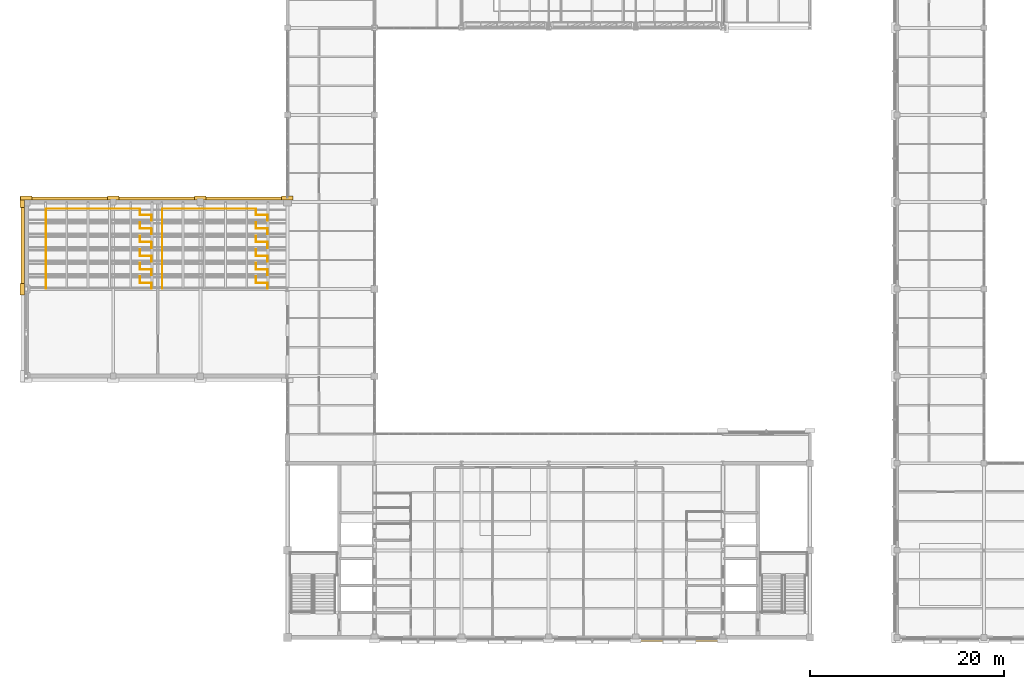
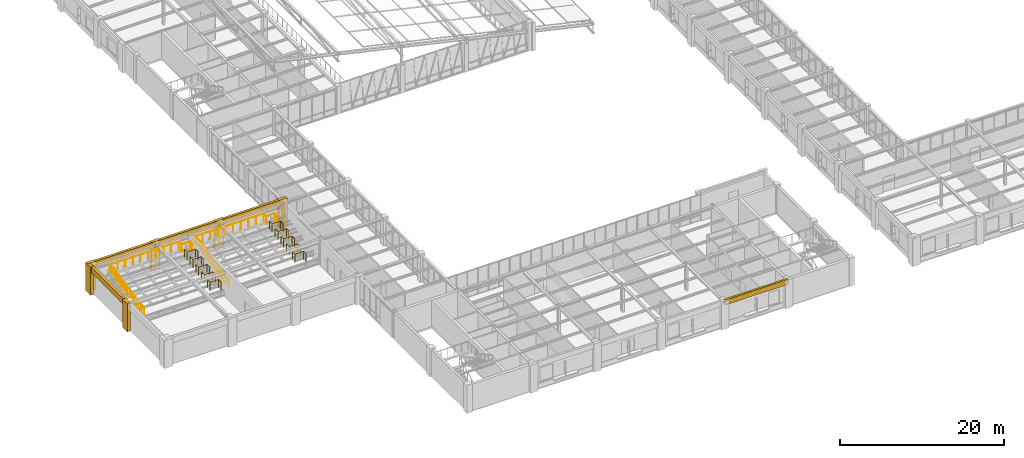
# One storey, part 124 of 130: 22 railings, 11 coverings.
"""IFC4 building model written with IfcOpenShell, lengths in metres."""

from ifc_helpers import new_model, si_unit, direction, frame, origin, origin_2d, place, context, subcontext, project, spatial, rectangle, circle, extrude, material, layer, layer_set, type_object, element, save


model = new_model("IFC4")

# Units and contexts
model_context = context("Model", 3, precision=1e-05, world=origin(), true_north=direction((0.0, 1.0)))
body_context = subcontext(model_context, "Body", "Model", "MODEL_VIEW")
ifc_project = project(units=[si_unit("LENGTHUNIT", "METRE"), si_unit("AREAUNIT", "SQUARE_METRE"), si_unit("VOLUMEUNIT", "CUBIC_METRE"), si_unit("PLANEANGLEUNIT", "RADIAN"), si_unit("MASSUNIT", "GRAM", prefix="KILO")], contexts=[model_context])

# Site, building, storey
site_placement = place(None, origin())
site = spatial("IfcSite", under=ifc_project, at=site_placement, CompositionType="ELEMENT")
building_placement = place(site_placement, origin())
building = spatial("IfcBuilding", under=site, at=building_placement, Name="Lykobir Media Centre", CompositionType="ELEMENT")
storey_placement = place(building_placement, frame((0.0, 0.0, 19.199951171875)))
storey = spatial("IfcBuildingStorey", under=building, at=storey_placement, Name="L04", CompositionType="ELEMENT", Elevation=19.199951171875)

# Coverings
ifc_material_1 = material(Name="Honed Travertine Stone", Category="masonry")
ifc_layer = layer(ifc_material_1, 0.050048828125, Name="Honed Travertine Stone")
ifc_layer_set = layer_set([ifc_layer], Name="Honed Travertine Stone")
covering_type = type_object("IfcCoveringType", Name="CLD-TRAV", PredefinedType="CLADDING", material=ifc_layer_set)
covering_1_placement = place(storey_placement, frame((67.5, -0.300048828125, 3.43994140625), z_axis=(0.0, 0.0, 1.0), x_axis=(1.0, 0.0, 0.0)))
element("IfcCovering", 1, at=covering_1_placement, inside=storey, type_object=covering_type, Name="Travertine spandrel stringcourse 617", PredefinedType="CLADDING", context=body_context, shape_type="SweptSolid", body=[
    extrude(rectangle(XDim=9.0, YDim=0.280029296875, at=origin_2d()), origin(), (0.0, 0.0, 1.0), 0.760009765625),
])
covering_2_placement = place(storey_placement, frame((4.5, 45.360107421875, 3.35986328125), z_axis=(0.0, 0.0, 1.0), x_axis=(-1.0, 0.0, 0.0)))
element("IfcCovering", 2, at=covering_2_placement, inside=storey, type_object=covering_type, Name="Acoustic hall cornice band 656", PredefinedType="CLADDING", context=body_context, shape_type="SweptSolid", body=[
    extrude(rectangle(XDim=9.0, YDim=0.340087890625, at=origin_2d()), origin(), (0.0, 0.0, 1.0), 0.840087890625),
])
for number, where, z_axis, x_axis, name in (
    (3, (9.0, 45.419921875, 0.0), (0.0, 0.0, 1.0), (-1.0, 0.0, 0.0), "Stone pilaster 657"),
    (4, (0.0, 45.419921875, 0.0), (0.0, 0.0, 1.0), (-1.0, 0.0, 0.0), "Stone pilaster 658"),
):
    element("IfcCovering", number, at=place(storey_placement, frame(where, z_axis=z_axis, x_axis=x_axis)), inside=storey, type_object=covering_type, Name=name, PredefinedType="CLADDING", context=body_context, shape_type="SweptSolid", body=[
        extrude(rectangle(XDim=1.179931640625, YDim=0.43994140625, at=origin_2d()), origin(), (0.0, 0.0, 1.0), 4.199951171875),
    ])
covering_3_placement = place(storey_placement, frame((13.5, 45.360107421875, 3.35986328125), z_axis=(0.0, 0.0, 1.0), x_axis=(-1.0, 0.0, 0.0)))
element("IfcCovering", 5, at=covering_3_placement, inside=storey, type_object=covering_type, Name="Acoustic hall cornice band 659", PredefinedType="CLADDING", context=body_context, shape_type="SweptSolid", body=[
    extrude(rectangle(XDim=9.0, YDim=0.340087890625, at=origin_2d()), origin(), (0.0, 0.0, 1.0), 0.840087890625),
])
covering_4_placement = place(storey_placement, frame((18.0, 45.419921875, 0.0), z_axis=(0.0, 0.0, 1.0), x_axis=(-1.0, 0.0, 0.0)))
element("IfcCovering", 6, at=covering_4_placement, inside=storey, type_object=covering_type, Name="Stone pilaster 660", PredefinedType="CLADDING", context=body_context, shape_type="SweptSolid", body=[
    extrude(rectangle(XDim=1.179931640625, YDim=0.43994140625, at=origin_2d()), origin(), (0.0, 0.0, 1.0), 4.199951171875),
])
covering_5_placement = place(storey_placement, frame((22.5, 45.360107421875, 3.35986328125), z_axis=(0.0, 0.0, 1.0), x_axis=(-1.0, 0.0, 0.0)))
element("IfcCovering", 7, at=covering_5_placement, inside=storey, type_object=covering_type, Name="Acoustic hall cornice band 661", PredefinedType="CLADDING", context=body_context, shape_type="SweptSolid", body=[
    extrude(rectangle(XDim=9.0, YDim=0.340087890625, at=origin_2d()), origin(), (0.0, 0.0, 1.0), 0.840087890625),
])
for number, where, z_axis, x_axis, name in (
    (8, (27.0, 45.419921875, 0.0), (0.0, 0.0, 1.0), (-1.0, 0.0, 0.0), "Stone pilaster 662"),
    (9, (-0.419921875, 36.0, 0.0), (0.0, 0.0, 1.0), (0.0, -1.0, 0.0), "Stone pilaster 664"),
):
    element("IfcCovering", number, at=place(storey_placement, frame(where, z_axis=z_axis, x_axis=x_axis)), inside=storey, type_object=covering_type, Name=name, PredefinedType="CLADDING", context=body_context, shape_type="SweptSolid", body=[
        extrude(rectangle(XDim=1.179931640625, YDim=0.43994140625, at=origin_2d()), origin(), (0.0, 0.0, 1.0), 4.199951171875),
    ])
covering_6_placement = place(storey_placement, frame((-0.360107421875, 40.5, 3.35986328125), z_axis=(0.0, 0.0, 1.0), x_axis=(0.0, -1.0, 0.0)))
element("IfcCovering", 10, at=covering_6_placement, inside=storey, type_object=covering_type, Name="Acoustic hall cornice band 666", PredefinedType="CLADDING", context=body_context, shape_type="SweptSolid", body=[
    extrude(rectangle(XDim=9.0, YDim=0.340087890625, at=origin_2d()), origin(), (0.0, 0.0, 1.0), 0.840087890625),
])
covering_7_placement = place(storey_placement, frame((-0.419921875, 45.0, 0.0), z_axis=(0.0, 0.0, 1.0), x_axis=(0.0, -1.0, 0.0)))
element("IfcCovering", 11, at=covering_7_placement, inside=storey, type_object=covering_type, Name="Stone pilaster 667", PredefinedType="CLADDING", context=body_context, shape_type="SweptSolid", body=[
    extrude(rectangle(XDim=1.179931640625, YDim=0.43994140625, at=origin_2d()), origin(), (0.0, 0.0, 1.0), 4.199951171875),
])

# Railings
ifc_material_2 = material(Name="Steel S355", Category="steel")
railing_type = type_object("IfcRailingType", Name="GR-1200", PredefinedType="BALUSTRADE", material=ifc_material_2)
railing_1_placement = place(storey_placement, frame((2.06005859375, 36.06005859375, 1.16015625)))
element("IfcRailing", 12, at=railing_1_placement, inside=storey, type_object=railing_type, Name="SCR6 west tier 1 balustrade", PredefinedType="BALUSTRADE", context=body_context, shape_type="SweptSolid", body=[
    extrude(circle(Radius=0.02392578125, at=origin_2d()), frame((0.0, 0.0, 1.17578125), z_axis=(0.0, 1.0, 0.0), x_axis=(-1.0, 0.0, 0.0)), (0.0, 0.0, 1.0), 1.239990234375),
    extrude(circle(Radius=0.02099609375, at=origin_2d()), origin(), (0.0, 0.0, 1.0), 1.15185546875),
    extrude(circle(Radius=0.02099609375, at=origin_2d()), frame((0.0, 0.6201171875, 0.0)), (0.0, 0.0, 1.0), 1.15185546875),
    extrude(circle(Radius=0.02099609375, at=origin_2d()), frame((0.0, 1.239990234375, 0.0)), (0.0, 0.0, 1.0), 1.15185546875),
])
railing_2_placement = place(storey_placement, frame((12.93994140625, 36.06005859375, 1.16015625)))
element("IfcRailing", 13, at=railing_2_placement, inside=storey, type_object=railing_type, Name="SCR6 east tier 1 balustrade", PredefinedType="BALUSTRADE", context=body_context, shape_type="SweptSolid", body=[
    extrude(circle(Radius=0.02392578125, at=origin_2d()), frame((0.0, 0.0, 1.17578125), z_axis=(0.0, 1.0, 0.0), x_axis=(-1.0, 0.0, 0.0)), (0.0, 0.0, 1.0), 0.579833984375),
    extrude(circle(Radius=0.02392578125, at=origin_2d()), frame((0.0, 0.579833984375, 1.17578125), z_axis=(-1.0, 0.0, 0.0), x_axis=(0.0, -1.0, 0.0)), (0.0, 0.0, 1.0), 1.199951171875),
    extrude(circle(Radius=0.02392578125, at=origin_2d()), frame((-1.199951171875, 0.579833984375, 1.17578125), z_axis=(0.0, 1.0, 0.0), x_axis=(-1.0, 0.0, 0.0)), (0.0, 0.0, 1.0), 0.66015625),
    extrude(circle(Radius=0.02099609375, at=origin_2d()), origin(), (0.0, 0.0, 1.0), 1.15185546875),
    extrude(circle(Radius=0.02099609375, at=origin_2d()), frame((0.0, 0.579833984375, 0.0)), (0.0, 0.0, 1.0), 1.15185546875),
    extrude(circle(Radius=0.02099609375, at=origin_2d()), frame((-1.199951171875, 0.579833984375, 0.0)), (0.0, 0.0, 1.0), 1.15185546875),
    extrude(circle(Radius=0.02099609375, at=origin_2d()), frame((-1.199951171875, 1.239990234375, 0.0)), (0.0, 0.0, 1.0), 1.15185546875),
])
railing_3_placement = place(storey_placement, frame((2.06005859375, 37.4599609375, 1.43994140625)))
element("IfcRailing", 14, at=railing_3_placement, inside=storey, type_object=railing_type, Name="SCR6 west tier 2 balustrade", PredefinedType="BALUSTRADE", context=body_context, shape_type="SweptSolid", body=[
    extrude(circle(Radius=0.02392578125, at=origin_2d()), frame((0.0, 0.0, 1.17578125), z_axis=(0.0, 1.0, 0.0), x_axis=(-1.0, 0.0, 0.0)), (0.0, 0.0, 1.0), 1.239990234375),
    extrude(circle(Radius=0.02099609375, at=origin_2d()), origin(), (0.0, 0.0, 1.0), 1.15185546875),
    extrude(circle(Radius=0.02099609375, at=origin_2d()), frame((0.0, 0.6201171875, 0.0)), (0.0, 0.0, 1.0), 1.15185546875),
    extrude(circle(Radius=0.02099609375, at=origin_2d()), frame((0.0, 1.239990234375, 0.0)), (0.0, 0.0, 1.0), 1.15185546875),
])
railing_4_placement = place(storey_placement, frame((12.93994140625, 37.4599609375, 1.43994140625)))
element("IfcRailing", 15, at=railing_4_placement, inside=storey, type_object=railing_type, Name="SCR6 east tier 2 balustrade", PredefinedType="BALUSTRADE", context=body_context, shape_type="SweptSolid", body=[
    extrude(circle(Radius=0.02392578125, at=origin_2d()), frame((0.0, 0.0, 1.17578125), z_axis=(0.0, 1.0, 0.0), x_axis=(-1.0, 0.0, 0.0)), (0.0, 0.0, 1.0), 0.580078125),
    extrude(circle(Radius=0.02392578125, at=origin_2d()), frame((0.0, 0.580078125, 1.17578125), z_axis=(-1.0, 0.0, 0.0), x_axis=(0.0, -1.0, 0.0)), (0.0, 0.0, 1.0), 1.199951171875),
    extrude(circle(Radius=0.02392578125, at=origin_2d()), frame((-1.199951171875, 0.580078125, 1.17578125), z_axis=(0.0, 1.0, 0.0), x_axis=(-1.0, 0.0, 0.0)), (0.0, 0.0, 1.0), 0.659912109375),
    extrude(circle(Radius=0.02099609375, at=origin_2d()), origin(), (0.0, 0.0, 1.0), 1.15185546875),
    extrude(circle(Radius=0.02099609375, at=origin_2d()), frame((0.0, 0.580078125, 0.0)), (0.0, 0.0, 1.0), 1.15185546875),
    extrude(circle(Radius=0.02099609375, at=origin_2d()), frame((-1.199951171875, 0.580078125, 0.0)), (0.0, 0.0, 1.0), 1.15185546875),
    extrude(circle(Radius=0.02099609375, at=origin_2d()), frame((-1.199951171875, 1.239990234375, 0.0)), (0.0, 0.0, 1.0), 1.15185546875),
])
railing_5_placement = place(storey_placement, frame((2.06005859375, 38.860107421875, 1.719970703125)))
element("IfcRailing", 16, at=railing_5_placement, inside=storey, type_object=railing_type, Name="SCR6 west tier 3 balustrade", PredefinedType="BALUSTRADE", context=body_context, shape_type="SweptSolid", body=[
    extrude(circle(Radius=0.02392578125, at=origin_2d()), frame((0.0, 0.0, 1.17578125), z_axis=(0.0, 1.0, 0.0), x_axis=(-1.0, 0.0, 0.0)), (0.0, 0.0, 1.0), 1.239990234375),
    extrude(circle(Radius=0.02099609375, at=origin_2d()), origin(), (0.0, 0.0, 1.0), 1.15185546875),
    extrude(circle(Radius=0.02099609375, at=origin_2d()), frame((0.0, 0.6201171875, 0.0)), (0.0, 0.0, 1.0), 1.15185546875),
    extrude(circle(Radius=0.02099609375, at=origin_2d()), frame((0.0, 1.239990234375, 0.0)), (0.0, 0.0, 1.0), 1.15185546875),
])
railing_6_placement = place(storey_placement, frame((12.93994140625, 38.860107421875, 1.719970703125)))
element("IfcRailing", 17, at=railing_6_placement, inside=storey, type_object=railing_type, Name="SCR6 east tier 3 balustrade", PredefinedType="BALUSTRADE", context=body_context, shape_type="SweptSolid", body=[
    extrude(circle(Radius=0.02392578125, at=origin_2d()), frame((0.0, 0.0, 1.17578125), z_axis=(0.0, 1.0, 0.0), x_axis=(-1.0, 0.0, 0.0)), (0.0, 0.0, 1.0), 0.579833984375),
    extrude(circle(Radius=0.02392578125, at=origin_2d()), frame((0.0, 0.579833984375, 1.17578125), z_axis=(-1.0, 0.0, 0.0), x_axis=(0.0, -1.0, 0.0)), (0.0, 0.0, 1.0), 1.199951171875),
    extrude(circle(Radius=0.02392578125, at=origin_2d()), frame((-1.199951171875, 0.579833984375, 1.17578125), z_axis=(0.0, 1.0, 0.0), x_axis=(-1.0, 0.0, 0.0)), (0.0, 0.0, 1.0), 0.66015625),
    extrude(circle(Radius=0.02099609375, at=origin_2d()), origin(), (0.0, 0.0, 1.0), 1.15185546875),
    extrude(circle(Radius=0.02099609375, at=origin_2d()), frame((0.0, 0.579833984375, 0.0)), (0.0, 0.0, 1.0), 1.15185546875),
    extrude(circle(Radius=0.02099609375, at=origin_2d()), frame((-1.199951171875, 0.579833984375, 0.0)), (0.0, 0.0, 1.0), 1.15185546875),
    extrude(circle(Radius=0.02099609375, at=origin_2d()), frame((-1.199951171875, 1.239990234375, 0.0)), (0.0, 0.0, 1.0), 1.15185546875),
])
railing_7_placement = place(storey_placement, frame((2.06005859375, 40.260009765625, 2.0)))
element("IfcRailing", 18, at=railing_7_placement, inside=storey, type_object=railing_type, Name="SCR6 west tier 4 balustrade", PredefinedType="BALUSTRADE", context=body_context, shape_type="SweptSolid", body=[
    extrude(circle(Radius=0.02392578125, at=origin_2d()), frame((0.0, 0.0, 1.17578125), z_axis=(0.0, 1.0, 0.0), x_axis=(-1.0, 0.0, 0.0)), (0.0, 0.0, 1.0), 1.239990234375),
    extrude(circle(Radius=0.02099609375, at=origin_2d()), origin(), (0.0, 0.0, 1.0), 1.15185546875),
    extrude(circle(Radius=0.02099609375, at=origin_2d()), frame((0.0, 0.6201171875, 0.0)), (0.0, 0.0, 1.0), 1.15185546875),
    extrude(circle(Radius=0.02099609375, at=origin_2d()), frame((0.0, 1.239990234375, 0.0)), (0.0, 0.0, 1.0), 1.15185546875),
])
railing_8_placement = place(storey_placement, frame((12.93994140625, 40.260009765625, 2.0)))
element("IfcRailing", 19, at=railing_8_placement, inside=storey, type_object=railing_type, Name="SCR6 east tier 4 balustrade", PredefinedType="BALUSTRADE", context=body_context, shape_type="SweptSolid", body=[
    extrude(circle(Radius=0.02392578125, at=origin_2d()), frame((0.0, 0.0, 1.17578125), z_axis=(0.0, 1.0, 0.0), x_axis=(-1.0, 0.0, 0.0)), (0.0, 0.0, 1.0), 0.580078125),
    extrude(circle(Radius=0.02392578125, at=origin_2d()), frame((0.0, 0.580078125, 1.17578125), z_axis=(-1.0, 0.0, 0.0), x_axis=(0.0, -1.0, 0.0)), (0.0, 0.0, 1.0), 1.199951171875),
    extrude(circle(Radius=0.02392578125, at=origin_2d()), frame((-1.199951171875, 0.580078125, 1.17578125), z_axis=(0.0, 1.0, 0.0), x_axis=(-1.0, 0.0, 0.0)), (0.0, 0.0, 1.0), 0.659912109375),
    extrude(circle(Radius=0.02099609375, at=origin_2d()), origin(), (0.0, 0.0, 1.0), 1.15185546875),
    extrude(circle(Radius=0.02099609375, at=origin_2d()), frame((0.0, 0.580078125, 0.0)), (0.0, 0.0, 1.0), 1.15185546875),
    extrude(circle(Radius=0.02099609375, at=origin_2d()), frame((-1.199951171875, 0.580078125, 0.0)), (0.0, 0.0, 1.0), 1.15185546875),
    extrude(circle(Radius=0.02099609375, at=origin_2d()), frame((-1.199951171875, 1.239990234375, 0.0)), (0.0, 0.0, 1.0), 1.15185546875),
])
railing_9_placement = place(storey_placement, frame((2.06005859375, 41.659912109375, 2.280029296875)))
element("IfcRailing", 20, at=railing_9_placement, inside=storey, type_object=railing_type, Name="SCR6 west tier 5 balustrade", PredefinedType="BALUSTRADE", context=body_context, shape_type="SweptSolid", body=[
    extrude(circle(Radius=0.02392578125, at=origin_2d()), frame((0.0, 0.0, 1.17578125), z_axis=(0.0, 1.0, 0.0), x_axis=(-1.0, 0.0, 0.0)), (0.0, 0.0, 1.0), 1.239990234375),
    extrude(circle(Radius=0.02099609375, at=origin_2d()), origin(), (0.0, 0.0, 1.0), 1.15185546875),
    extrude(circle(Radius=0.02099609375, at=origin_2d()), frame((0.0, 0.6201171875, 0.0)), (0.0, 0.0, 1.0), 1.15185546875),
    extrude(circle(Radius=0.02099609375, at=origin_2d()), frame((0.0, 1.239990234375, 0.0)), (0.0, 0.0, 1.0), 1.15185546875),
])
railing_10_placement = place(storey_placement, frame((12.93994140625, 41.659912109375, 2.280029296875)))
element("IfcRailing", 21, at=railing_10_placement, inside=storey, type_object=railing_type, Name="SCR6 east tier 5 balustrade", PredefinedType="BALUSTRADE", context=body_context, shape_type="SweptSolid", body=[
    extrude(circle(Radius=0.02392578125, at=origin_2d()), frame((0.0, 0.0, 1.17578125), z_axis=(0.0, 1.0, 0.0), x_axis=(-1.0, 0.0, 0.0)), (0.0, 0.0, 1.0), 0.580078125),
    extrude(circle(Radius=0.02392578125, at=origin_2d()), frame((0.0, 0.580078125, 1.17578125), z_axis=(-1.0, 0.0, 0.0), x_axis=(0.0, -1.0, 0.0)), (0.0, 0.0, 1.0), 1.199951171875),
    extrude(circle(Radius=0.02392578125, at=origin_2d()), frame((-1.199951171875, 0.580078125, 1.17578125), z_axis=(0.0, 1.0, 0.0), x_axis=(-1.0, 0.0, 0.0)), (0.0, 0.0, 1.0), 0.659912109375),
    extrude(circle(Radius=0.02099609375, at=origin_2d()), origin(), (0.0, 0.0, 1.0), 1.15185546875),
    extrude(circle(Radius=0.02099609375, at=origin_2d()), frame((0.0, 0.580078125, 0.0)), (0.0, 0.0, 1.0), 1.15185546875),
    extrude(circle(Radius=0.02099609375, at=origin_2d()), frame((-1.199951171875, 0.580078125, 0.0)), (0.0, 0.0, 1.0), 1.15185546875),
    extrude(circle(Radius=0.02099609375, at=origin_2d()), frame((-1.199951171875, 1.239990234375, 0.0)), (0.0, 0.0, 1.0), 1.15185546875),
])
railing_11_placement = place(storey_placement, frame((2.06005859375, 43.06005859375, 2.56005859375)))
element("IfcRailing", 22, at=railing_11_placement, inside=storey, type_object=railing_type, Name="SCR6 rear tier 6 balustrade", PredefinedType="BALUSTRADE", context=body_context, shape_type="SweptSolid", body=[
    extrude(circle(Radius=0.02392578125, at=origin_2d()), frame((0.0, 0.0, 1.17578125), z_axis=(0.0, 1.0, 0.0), x_axis=(-1.0, 0.0, 0.0)), (0.0, 0.0, 1.0), 1.239990234375),
    extrude(circle(Radius=0.02392578125, at=origin_2d()), frame((0.0, 1.239990234375, 1.17578125), z_axis=(1.0, 0.0, 0.0), x_axis=(0.0, 1.0, 0.0)), (0.0, 0.0, 1.0), 9.679931640625),
    extrude(circle(Radius=0.02392578125, at=origin_2d()), frame((9.679931640625, 1.239990234375, 1.17578125), z_axis=(0.0, -1.0, 0.0), x_axis=(1.0, 0.0, 0.0)), (0.0, 0.0, 1.0), 0.66015625),
    extrude(circle(Radius=0.02392578125, at=origin_2d()), frame((9.679931640625, 0.579833984375, 1.17578125), z_axis=(1.0, 0.0, 0.0), x_axis=(0.0, 1.0, 0.0)), (0.0, 0.0, 1.0), 1.199951171875),
    extrude(circle(Radius=0.02392578125, at=origin_2d()), frame((10.8798828125, 0.579833984375, 1.17578125), z_axis=(0.0, -1.0, 0.0), x_axis=(1.0, 0.0, 0.0)), (0.0, 0.0, 1.0), 0.579833984375),
    extrude(circle(Radius=0.02099609375, at=origin_2d()), origin(), (0.0, 0.0, 1.0), 1.15185546875),
    extrude(circle(Radius=0.02099609375, at=origin_2d()), frame((0.0, 0.6201171875, 0.0)), (0.0, 0.0, 1.0), 1.15185546875),
    extrude(circle(Radius=0.02099609375, at=origin_2d()), frame((0.0, 1.239990234375, 0.0)), (0.0, 0.0, 1.0), 1.15185546875),
    extrude(circle(Radius=0.02099609375, at=origin_2d()), frame((1.075439453125, 1.239990234375, 0.0)), (0.0, 0.0, 1.0), 1.15185546875),
    extrude(circle(Radius=0.02099609375, at=origin_2d()), frame((2.151123046875, 1.239990234375, 0.0)), (0.0, 0.0, 1.0), 1.15185546875),
    extrude(circle(Radius=0.02099609375, at=origin_2d()), frame((3.2265625, 1.239990234375, 0.0)), (0.0, 0.0, 1.0), 1.15185546875),
    extrude(circle(Radius=0.02099609375, at=origin_2d()), frame((4.30224609375, 1.239990234375, 0.0)), (0.0, 0.0, 1.0), 1.15185546875),
    extrude(circle(Radius=0.02099609375, at=origin_2d()), frame((5.377685546875, 1.239990234375, 0.0)), (0.0, 0.0, 1.0), 1.15185546875),
    extrude(circle(Radius=0.02099609375, at=origin_2d()), frame((6.453369140625, 1.239990234375, 0.0)), (0.0, 0.0, 1.0), 1.15185546875),
    extrude(circle(Radius=0.02099609375, at=origin_2d()), frame((7.52880859375, 1.239990234375, 0.0)), (0.0, 0.0, 1.0), 1.15185546875),
    extrude(circle(Radius=0.02099609375, at=origin_2d()), frame((8.6044921875, 1.239990234375, 0.0)), (0.0, 0.0, 1.0), 1.15185546875),
    extrude(circle(Radius=0.02099609375, at=origin_2d()), frame((9.679931640625, 1.239990234375, 0.0)), (0.0, 0.0, 1.0), 1.15185546875),
    extrude(circle(Radius=0.02099609375, at=origin_2d()), frame((9.679931640625, 0.579833984375, 0.0)), (0.0, 0.0, 1.0), 1.15185546875),
    extrude(circle(Radius=0.02099609375, at=origin_2d()), frame((10.8798828125, 0.579833984375, 0.0)), (0.0, 0.0, 1.0), 1.15185546875),
    extrude(circle(Radius=0.02099609375, at=origin_2d()), frame((10.8798828125, 0.0, 0.0)), (0.0, 0.0, 1.0), 1.15185546875),
])
railing_12_placement = place(storey_placement, frame((14.06005859375, 36.06005859375, 1.16015625)))
element("IfcRailing", 23, at=railing_12_placement, inside=storey, type_object=railing_type, Name="SCR7 west tier 1 balustrade", PredefinedType="BALUSTRADE", context=body_context, shape_type="SweptSolid", body=[
    extrude(circle(Radius=0.02392578125, at=origin_2d()), frame((0.0, 0.0, 1.17578125), z_axis=(0.0, 1.0, 0.0), x_axis=(-1.0, 0.0, 0.0)), (0.0, 0.0, 1.0), 1.239990234375),
    extrude(circle(Radius=0.02099609375, at=origin_2d()), origin(), (0.0, 0.0, 1.0), 1.15185546875),
    extrude(circle(Radius=0.02099609375, at=origin_2d()), frame((0.0, 0.6201171875, 0.0)), (0.0, 0.0, 1.0), 1.15185546875),
    extrude(circle(Radius=0.02099609375, at=origin_2d()), frame((0.0, 1.239990234375, 0.0)), (0.0, 0.0, 1.0), 1.15185546875),
])
railing_13_placement = place(storey_placement, frame((24.93994140625, 36.06005859375, 1.16015625)))
element("IfcRailing", 24, at=railing_13_placement, inside=storey, type_object=railing_type, Name="SCR7 east tier 1 balustrade", PredefinedType="BALUSTRADE", context=body_context, shape_type="SweptSolid", body=[
    extrude(circle(Radius=0.02392578125, at=origin_2d()), frame((0.0, 0.0, 1.17578125), z_axis=(0.0, 1.0, 0.0), x_axis=(-1.0, 0.0, 0.0)), (0.0, 0.0, 1.0), 0.579833984375),
    extrude(circle(Radius=0.02392578125, at=origin_2d()), frame((0.0, 0.579833984375, 1.17578125), z_axis=(-1.0, 0.0, 0.0), x_axis=(0.0, -1.0, 0.0)), (0.0, 0.0, 1.0), 1.199951171875),
    extrude(circle(Radius=0.02392578125, at=origin_2d()), frame((-1.199951171875, 0.579833984375, 1.17578125), z_axis=(0.0, 1.0, 0.0), x_axis=(-1.0, 0.0, 0.0)), (0.0, 0.0, 1.0), 0.66015625),
    extrude(circle(Radius=0.02099609375, at=origin_2d()), origin(), (0.0, 0.0, 1.0), 1.15185546875),
    extrude(circle(Radius=0.02099609375, at=origin_2d()), frame((0.0, 0.579833984375, 0.0)), (0.0, 0.0, 1.0), 1.15185546875),
    extrude(circle(Radius=0.02099609375, at=origin_2d()), frame((-1.199951171875, 0.579833984375, 0.0)), (0.0, 0.0, 1.0), 1.15185546875),
    extrude(circle(Radius=0.02099609375, at=origin_2d()), frame((-1.199951171875, 1.239990234375, 0.0)), (0.0, 0.0, 1.0), 1.15185546875),
])
railing_14_placement = place(storey_placement, frame((14.06005859375, 37.4599609375, 1.43994140625)))
element("IfcRailing", 25, at=railing_14_placement, inside=storey, type_object=railing_type, Name="SCR7 west tier 2 balustrade", PredefinedType="BALUSTRADE", context=body_context, shape_type="SweptSolid", body=[
    extrude(circle(Radius=0.02392578125, at=origin_2d()), frame((0.0, 0.0, 1.17578125), z_axis=(0.0, 1.0, 0.0), x_axis=(-1.0, 0.0, 0.0)), (0.0, 0.0, 1.0), 1.239990234375),
    extrude(circle(Radius=0.02099609375, at=origin_2d()), origin(), (0.0, 0.0, 1.0), 1.15185546875),
    extrude(circle(Radius=0.02099609375, at=origin_2d()), frame((0.0, 0.6201171875, 0.0)), (0.0, 0.0, 1.0), 1.15185546875),
    extrude(circle(Radius=0.02099609375, at=origin_2d()), frame((0.0, 1.239990234375, 0.0)), (0.0, 0.0, 1.0), 1.15185546875),
])
railing_15_placement = place(storey_placement, frame((24.93994140625, 37.4599609375, 1.43994140625)))
element("IfcRailing", 26, at=railing_15_placement, inside=storey, type_object=railing_type, Name="SCR7 east tier 2 balustrade", PredefinedType="BALUSTRADE", context=body_context, shape_type="SweptSolid", body=[
    extrude(circle(Radius=0.02392578125, at=origin_2d()), frame((0.0, 0.0, 1.17578125), z_axis=(0.0, 1.0, 0.0), x_axis=(-1.0, 0.0, 0.0)), (0.0, 0.0, 1.0), 0.580078125),
    extrude(circle(Radius=0.02392578125, at=origin_2d()), frame((0.0, 0.580078125, 1.17578125), z_axis=(-1.0, 0.0, 0.0), x_axis=(0.0, -1.0, 0.0)), (0.0, 0.0, 1.0), 1.199951171875),
    extrude(circle(Radius=0.02392578125, at=origin_2d()), frame((-1.199951171875, 0.580078125, 1.17578125), z_axis=(0.0, 1.0, 0.0), x_axis=(-1.0, 0.0, 0.0)), (0.0, 0.0, 1.0), 0.659912109375),
    extrude(circle(Radius=0.02099609375, at=origin_2d()), origin(), (0.0, 0.0, 1.0), 1.15185546875),
    extrude(circle(Radius=0.02099609375, at=origin_2d()), frame((0.0, 0.580078125, 0.0)), (0.0, 0.0, 1.0), 1.15185546875),
    extrude(circle(Radius=0.02099609375, at=origin_2d()), frame((-1.199951171875, 0.580078125, 0.0)), (0.0, 0.0, 1.0), 1.15185546875),
    extrude(circle(Radius=0.02099609375, at=origin_2d()), frame((-1.199951171875, 1.239990234375, 0.0)), (0.0, 0.0, 1.0), 1.15185546875),
])
railing_16_placement = place(storey_placement, frame((14.06005859375, 38.860107421875, 1.719970703125)))
element("IfcRailing", 27, at=railing_16_placement, inside=storey, type_object=railing_type, Name="SCR7 west tier 3 balustrade", PredefinedType="BALUSTRADE", context=body_context, shape_type="SweptSolid", body=[
    extrude(circle(Radius=0.02392578125, at=origin_2d()), frame((0.0, 0.0, 1.17578125), z_axis=(0.0, 1.0, 0.0), x_axis=(-1.0, 0.0, 0.0)), (0.0, 0.0, 1.0), 1.239990234375),
    extrude(circle(Radius=0.02099609375, at=origin_2d()), origin(), (0.0, 0.0, 1.0), 1.15185546875),
    extrude(circle(Radius=0.02099609375, at=origin_2d()), frame((0.0, 0.6201171875, 0.0)), (0.0, 0.0, 1.0), 1.15185546875),
    extrude(circle(Radius=0.02099609375, at=origin_2d()), frame((0.0, 1.239990234375, 0.0)), (0.0, 0.0, 1.0), 1.15185546875),
])
railing_17_placement = place(storey_placement, frame((24.93994140625, 38.860107421875, 1.719970703125)))
element("IfcRailing", 28, at=railing_17_placement, inside=storey, type_object=railing_type, Name="SCR7 east tier 3 balustrade", PredefinedType="BALUSTRADE", context=body_context, shape_type="SweptSolid", body=[
    extrude(circle(Radius=0.02392578125, at=origin_2d()), frame((0.0, 0.0, 1.17578125), z_axis=(0.0, 1.0, 0.0), x_axis=(-1.0, 0.0, 0.0)), (0.0, 0.0, 1.0), 0.579833984375),
    extrude(circle(Radius=0.02392578125, at=origin_2d()), frame((0.0, 0.579833984375, 1.17578125), z_axis=(-1.0, 0.0, 0.0), x_axis=(0.0, -1.0, 0.0)), (0.0, 0.0, 1.0), 1.199951171875),
    extrude(circle(Radius=0.02392578125, at=origin_2d()), frame((-1.199951171875, 0.579833984375, 1.17578125), z_axis=(0.0, 1.0, 0.0), x_axis=(-1.0, 0.0, 0.0)), (0.0, 0.0, 1.0), 0.66015625),
    extrude(circle(Radius=0.02099609375, at=origin_2d()), origin(), (0.0, 0.0, 1.0), 1.15185546875),
    extrude(circle(Radius=0.02099609375, at=origin_2d()), frame((0.0, 0.579833984375, 0.0)), (0.0, 0.0, 1.0), 1.15185546875),
    extrude(circle(Radius=0.02099609375, at=origin_2d()), frame((-1.199951171875, 0.579833984375, 0.0)), (0.0, 0.0, 1.0), 1.15185546875),
    extrude(circle(Radius=0.02099609375, at=origin_2d()), frame((-1.199951171875, 1.239990234375, 0.0)), (0.0, 0.0, 1.0), 1.15185546875),
])
railing_18_placement = place(storey_placement, frame((14.06005859375, 40.260009765625, 2.0)))
element("IfcRailing", 29, at=railing_18_placement, inside=storey, type_object=railing_type, Name="SCR7 west tier 4 balustrade", PredefinedType="BALUSTRADE", context=body_context, shape_type="SweptSolid", body=[
    extrude(circle(Radius=0.02392578125, at=origin_2d()), frame((0.0, 0.0, 1.17578125), z_axis=(0.0, 1.0, 0.0), x_axis=(-1.0, 0.0, 0.0)), (0.0, 0.0, 1.0), 1.239990234375),
    extrude(circle(Radius=0.02099609375, at=origin_2d()), origin(), (0.0, 0.0, 1.0), 1.15185546875),
    extrude(circle(Radius=0.02099609375, at=origin_2d()), frame((0.0, 0.6201171875, 0.0)), (0.0, 0.0, 1.0), 1.15185546875),
    extrude(circle(Radius=0.02099609375, at=origin_2d()), frame((0.0, 1.239990234375, 0.0)), (0.0, 0.0, 1.0), 1.15185546875),
])
railing_19_placement = place(storey_placement, frame((24.93994140625, 40.260009765625, 2.0)))
element("IfcRailing", 30, at=railing_19_placement, inside=storey, type_object=railing_type, Name="SCR7 east tier 4 balustrade", PredefinedType="BALUSTRADE", context=body_context, shape_type="SweptSolid", body=[
    extrude(circle(Radius=0.02392578125, at=origin_2d()), frame((0.0, 0.0, 1.17578125), z_axis=(0.0, 1.0, 0.0), x_axis=(-1.0, 0.0, 0.0)), (0.0, 0.0, 1.0), 0.580078125),
    extrude(circle(Radius=0.02392578125, at=origin_2d()), frame((0.0, 0.580078125, 1.17578125), z_axis=(-1.0, 0.0, 0.0), x_axis=(0.0, -1.0, 0.0)), (0.0, 0.0, 1.0), 1.199951171875),
    extrude(circle(Radius=0.02392578125, at=origin_2d()), frame((-1.199951171875, 0.580078125, 1.17578125), z_axis=(0.0, 1.0, 0.0), x_axis=(-1.0, 0.0, 0.0)), (0.0, 0.0, 1.0), 0.659912109375),
    extrude(circle(Radius=0.02099609375, at=origin_2d()), origin(), (0.0, 0.0, 1.0), 1.15185546875),
    extrude(circle(Radius=0.02099609375, at=origin_2d()), frame((0.0, 0.580078125, 0.0)), (0.0, 0.0, 1.0), 1.15185546875),
    extrude(circle(Radius=0.02099609375, at=origin_2d()), frame((-1.199951171875, 0.580078125, 0.0)), (0.0, 0.0, 1.0), 1.15185546875),
    extrude(circle(Radius=0.02099609375, at=origin_2d()), frame((-1.199951171875, 1.239990234375, 0.0)), (0.0, 0.0, 1.0), 1.15185546875),
])
railing_20_placement = place(storey_placement, frame((14.06005859375, 41.659912109375, 2.280029296875)))
element("IfcRailing", 31, at=railing_20_placement, inside=storey, type_object=railing_type, Name="SCR7 west tier 5 balustrade", PredefinedType="BALUSTRADE", context=body_context, shape_type="SweptSolid", body=[
    extrude(circle(Radius=0.02392578125, at=origin_2d()), frame((0.0, 0.0, 1.17578125), z_axis=(0.0, 1.0, 0.0), x_axis=(-1.0, 0.0, 0.0)), (0.0, 0.0, 1.0), 1.239990234375),
    extrude(circle(Radius=0.02099609375, at=origin_2d()), origin(), (0.0, 0.0, 1.0), 1.15185546875),
    extrude(circle(Radius=0.02099609375, at=origin_2d()), frame((0.0, 0.6201171875, 0.0)), (0.0, 0.0, 1.0), 1.15185546875),
    extrude(circle(Radius=0.02099609375, at=origin_2d()), frame((0.0, 1.239990234375, 0.0)), (0.0, 0.0, 1.0), 1.15185546875),
])
railing_21_placement = place(storey_placement, frame((24.93994140625, 41.659912109375, 2.280029296875)))
element("IfcRailing", 32, at=railing_21_placement, inside=storey, type_object=railing_type, Name="SCR7 east tier 5 balustrade", PredefinedType="BALUSTRADE", context=body_context, shape_type="SweptSolid", body=[
    extrude(circle(Radius=0.02392578125, at=origin_2d()), frame((0.0, 0.0, 1.17578125), z_axis=(0.0, 1.0, 0.0), x_axis=(-1.0, 0.0, 0.0)), (0.0, 0.0, 1.0), 0.580078125),
    extrude(circle(Radius=0.02392578125, at=origin_2d()), frame((0.0, 0.580078125, 1.17578125), z_axis=(-1.0, 0.0, 0.0), x_axis=(0.0, -1.0, 0.0)), (0.0, 0.0, 1.0), 1.199951171875),
    extrude(circle(Radius=0.02392578125, at=origin_2d()), frame((-1.199951171875, 0.580078125, 1.17578125), z_axis=(0.0, 1.0, 0.0), x_axis=(-1.0, 0.0, 0.0)), (0.0, 0.0, 1.0), 0.659912109375),
    extrude(circle(Radius=0.02099609375, at=origin_2d()), origin(), (0.0, 0.0, 1.0), 1.15185546875),
    extrude(circle(Radius=0.02099609375, at=origin_2d()), frame((0.0, 0.580078125, 0.0)), (0.0, 0.0, 1.0), 1.15185546875),
    extrude(circle(Radius=0.02099609375, at=origin_2d()), frame((-1.199951171875, 0.580078125, 0.0)), (0.0, 0.0, 1.0), 1.15185546875),
    extrude(circle(Radius=0.02099609375, at=origin_2d()), frame((-1.199951171875, 1.239990234375, 0.0)), (0.0, 0.0, 1.0), 1.15185546875),
])
railing_22_placement = place(storey_placement, frame((14.06005859375, 43.06005859375, 2.56005859375)))
element("IfcRailing", 33, at=railing_22_placement, inside=storey, type_object=railing_type, Name="SCR7 rear tier 6 balustrade", PredefinedType="BALUSTRADE", context=body_context, shape_type="SweptSolid", body=[
    extrude(circle(Radius=0.02392578125, at=origin_2d()), frame((0.0, 0.0, 1.17578125), z_axis=(0.0, 1.0, 0.0), x_axis=(-1.0, 0.0, 0.0)), (0.0, 0.0, 1.0), 1.239990234375),
    extrude(circle(Radius=0.02392578125, at=origin_2d()), frame((0.0, 1.239990234375, 1.17578125), z_axis=(1.0, 0.0, 0.0), x_axis=(0.0, 1.0, 0.0)), (0.0, 0.0, 1.0), 9.679931640625),
    extrude(circle(Radius=0.02392578125, at=origin_2d()), frame((9.679931640625, 1.239990234375, 1.17578125), z_axis=(0.0, -1.0, 0.0), x_axis=(1.0, 0.0, 0.0)), (0.0, 0.0, 1.0), 0.66015625),
    extrude(circle(Radius=0.02392578125, at=origin_2d()), frame((9.679931640625, 0.579833984375, 1.17578125), z_axis=(1.0, 0.0, 0.0), x_axis=(0.0, 1.0, 0.0)), (0.0, 0.0, 1.0), 1.199951171875),
    extrude(circle(Radius=0.02392578125, at=origin_2d()), frame((10.8798828125, 0.579833984375, 1.17578125), z_axis=(0.0, -1.0, 0.0), x_axis=(1.0, 0.0, 0.0)), (0.0, 0.0, 1.0), 0.579833984375),
    extrude(circle(Radius=0.02099609375, at=origin_2d()), origin(), (0.0, 0.0, 1.0), 1.15185546875),
    extrude(circle(Radius=0.02099609375, at=origin_2d()), frame((0.0, 0.6201171875, 0.0)), (0.0, 0.0, 1.0), 1.15185546875),
    extrude(circle(Radius=0.02099609375, at=origin_2d()), frame((0.0, 1.239990234375, 0.0)), (0.0, 0.0, 1.0), 1.15185546875),
    extrude(circle(Radius=0.02099609375, at=origin_2d()), frame((1.075439453125, 1.239990234375, 0.0)), (0.0, 0.0, 1.0), 1.15185546875),
    extrude(circle(Radius=0.02099609375, at=origin_2d()), frame((2.151123046875, 1.239990234375, 0.0)), (0.0, 0.0, 1.0), 1.15185546875),
    extrude(circle(Radius=0.02099609375, at=origin_2d()), frame((3.2265625, 1.239990234375, 0.0)), (0.0, 0.0, 1.0), 1.15185546875),
    extrude(circle(Radius=0.02099609375, at=origin_2d()), frame((4.30224609375, 1.239990234375, 0.0)), (0.0, 0.0, 1.0), 1.15185546875),
    extrude(circle(Radius=0.02099609375, at=origin_2d()), frame((5.377685546875, 1.239990234375, 0.0)), (0.0, 0.0, 1.0), 1.15185546875),
    extrude(circle(Radius=0.02099609375, at=origin_2d()), frame((6.453369140625, 1.239990234375, 0.0)), (0.0, 0.0, 1.0), 1.15185546875),
    extrude(circle(Radius=0.02099609375, at=origin_2d()), frame((7.52880859375, 1.239990234375, 0.0)), (0.0, 0.0, 1.0), 1.15185546875),
    extrude(circle(Radius=0.02099609375, at=origin_2d()), frame((8.6044921875, 1.239990234375, 0.0)), (0.0, 0.0, 1.0), 1.15185546875),
    extrude(circle(Radius=0.02099609375, at=origin_2d()), frame((9.679931640625, 1.239990234375, 0.0)), (0.0, 0.0, 1.0), 1.15185546875),
    extrude(circle(Radius=0.02099609375, at=origin_2d()), frame((9.679931640625, 0.579833984375, 0.0)), (0.0, 0.0, 1.0), 1.15185546875),
    extrude(circle(Radius=0.02099609375, at=origin_2d()), frame((10.8798828125, 0.579833984375, 0.0)), (0.0, 0.0, 1.0), 1.15185546875),
    extrude(circle(Radius=0.02099609375, at=origin_2d()), frame((10.8798828125, 0.0, 0.0)), (0.0, 0.0, 1.0), 1.15185546875),
])

save(model, "model.ifc")
